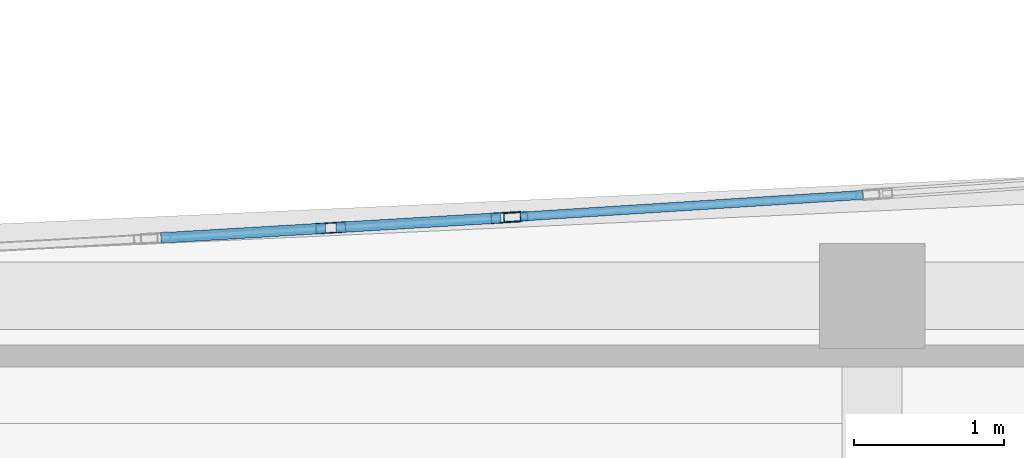
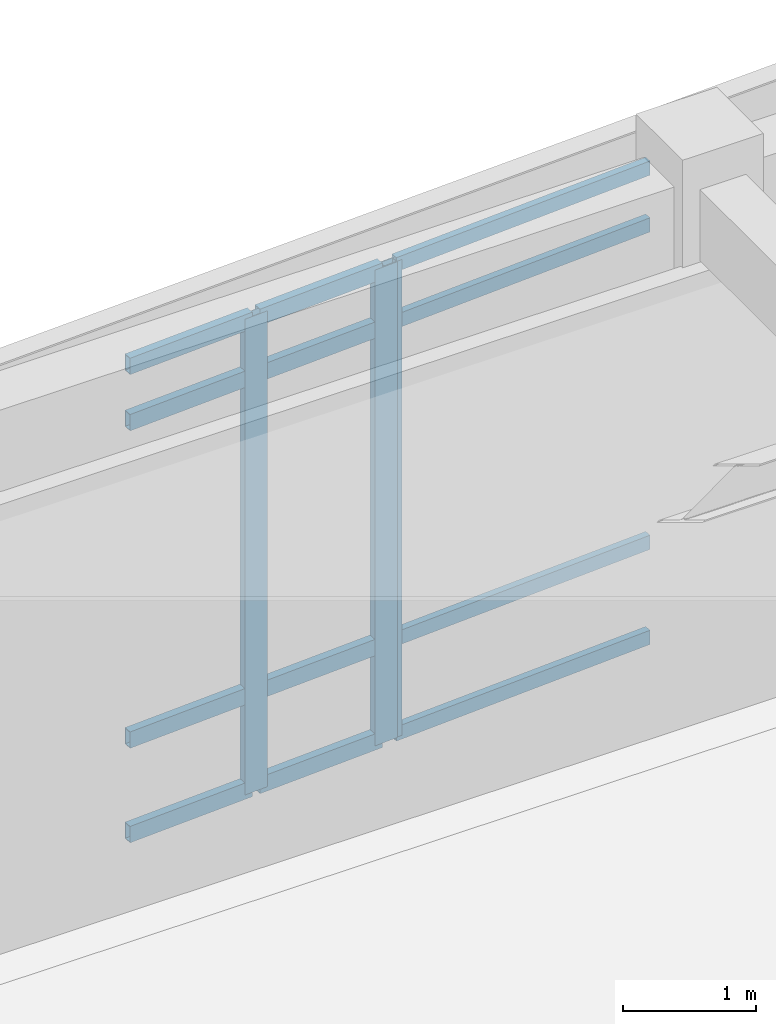
# One storey, part 28 of 117: 15 members, 2 elements without a shape of their own.
"""IFC4 building model written with IfcOpenShell, lengths in metres."""

from ifc_helpers import new_model, si_unit, direction, frame, origin, origin_2d, place, context, subcontext, project, spatial, hollow_rectangle, extrude, material, layer, layer_set, material_profile, profile_set, type_object, element, aggregate, save


model = new_model("IFC4")

# Units and contexts
model_context = context("Model", 3, precision=1e-05, world=origin(), true_north=direction((0.0, 1.0)))
body_context = subcontext(model_context, "Body", "Model", "MODEL_VIEW")
ifc_project = project(units=[si_unit("LENGTHUNIT", "METRE"), si_unit("AREAUNIT", "SQUARE_METRE"), si_unit("VOLUMEUNIT", "CUBIC_METRE"), si_unit("PLANEANGLEUNIT", "RADIAN"), si_unit("MASSUNIT", "GRAM", prefix="KILO")], contexts=[model_context])

# Site, building, storey
site_placement = place(None, origin())
site = spatial("IfcSite", under=ifc_project, at=site_placement, CompositionType="ELEMENT")
building_placement = place(site_placement, origin())
building = spatial("IfcBuilding", under=site, at=building_placement, Name="Carrowvane Square Congress Hotel", CompositionType="ELEMENT")
storey_placement = place(building_placement, frame((0.0, 0.0, 5.39990234375)))
storey = spatial("IfcBuildingStorey", under=building, at=storey_placement, Name="L01", CompositionType="ELEMENT", Elevation=5.39990234375)

# Curtain wall, member
ifc_material_1 = material(Name="Anodised aluminium", Category="aluminium")
ifc_layer_1 = layer(ifc_material_1, 0.18603515625)
ifc_layer_set_1 = layer_set([ifc_layer_1], Name="Anodised aluminium")
curtain_wall_type_1 = type_object("IfcCurtainWallType", Name="CW-SYS-3", PredefinedType="NOTDEFINED", material=ifc_layer_set_1)
curtain_wall_1_placement = place(storey_placement, origin())
curtain_wall_1 = element("IfcCurtainWall", 1, at=curtain_wall_1_placement, inside=storey, type_object=curtain_wall_type_1, Name="L01 unitised curtain wall 66", PredefinedType="NOTDEFINED")
ifc_material_2 = material(Name="Anodised aluminium", Category="aluminium")
ifc_material_profile_1 = material_profile(ifc_material_2, hollow_rectangle(XDim=0.06005859375, YDim=0.159912109375, WallThickness=0.00390625, at=origin_2d()), Name="CW-ML 60x160x4")
ifc_profile_set_1 = profile_set([ifc_material_profile_1], Name="Anodised aluminium")
member_type_1 = type_object("IfcMemberType", Name="CW-MUL-1", PredefinedType="MULLION", material=ifc_profile_set_1)
member_1_placement = place(storey_placement, frame((45.22998046875, 113.925048828125, 0.0), z_axis=(0.0, 0.0, 1.0), x_axis=(-0.063273487972, 0.997996225303, 0.0)))
member_1 = element("IfcMember", 2, at=member_1_placement, type_object=member_type_1, Name="CW-3 mullion 1", PredefinedType="MULLION", context=body_context, shape_type="SweptSolid", body=[
    extrude(hollow_rectangle(XDim=0.06005859375, YDim=0.159912109375, WallThickness=0.00390625, at=origin_2d()), origin(), (0.0, 0.0, 1.0), 4.355712890625),
])

# Curtain wall, members
ifc_material_3 = material(Name="Anodised aluminium", Category="aluminium")
ifc_layer_2 = layer(ifc_material_3, 0.174072265625)
ifc_layer_set_2 = layer_set([ifc_layer_2], Name="Anodised aluminium")
curtain_wall_type_2 = type_object("IfcCurtainWallType", Name="CW-SYS-2", PredefinedType="NOTDEFINED", material=ifc_layer_set_2)
curtain_wall_2_placement = place(storey_placement, origin())
curtain_wall_2 = element("IfcCurtainWall", 3, at=curtain_wall_2_placement, inside=storey, type_object=curtain_wall_type_2, Name="L01 unitised curtain wall 65", PredefinedType="NOTDEFINED")
ifc_material_4 = material(Name="Anodised aluminium", Category="aluminium")
ifc_material_profile_2 = material_profile(ifc_material_4, hollow_rectangle(XDim=0.070068359375, YDim=0.199951171875, WallThickness=0.0048828125, at=origin_2d()), Name="CW-ML 70x200x5")
ifc_profile_set_2 = profile_set([ifc_material_profile_2], Name="Anodised aluminium")
member_type_2 = type_object("IfcMemberType", Name="CW-MUL-2", PredefinedType="MULLION", material=ifc_profile_set_2)
member_2_placement = place(storey_placement, frame((44.0, 113.852294921875, 0.0), z_axis=(0.0, 0.0, 1.0), x_axis=(-0.058988522254, 0.99825866099, 0.0)))
member_2 = element("IfcMember", 4, at=member_2_placement, type_object=member_type_2, Name="CW-2 mullion 2", PredefinedType="MULLION", context=body_context, shape_type="SweptSolid", body=[
    extrude(hollow_rectangle(XDim=0.070068359375, YDim=0.199951171875, WallThickness=0.0048828125, at=origin_2d()), origin(), (0.0, 0.0, 1.0), 4.355712890625),
])
member_3_placement = place(storey_placement, frame((45.1650390625, 113.921142578125, 0.0), z_axis=(0.0, 0.0, 1.0), x_axis=(-0.058988522254, 0.99825866099, 0.0)))
member_3 = element("IfcMember", 5, at=member_3_placement, type_object=member_type_2, Name="CW-2 mullion 3", PredefinedType="MULLION", context=body_context, shape_type="SweptSolid", body=[
    extrude(hollow_rectangle(XDim=0.070068359375, YDim=0.199951171875, WallThickness=0.0048828125, at=origin_2d()), origin(), (0.0, 0.0, 1.0), 4.355712890625),
])

# Member
ifc_material_5 = material(Name="Anodised aluminium", Category="aluminium")
ifc_material_profile_3 = material_profile(ifc_material_5, hollow_rectangle(XDim=0.06005859375, YDim=0.1298828125, WallThickness=0.00390625, at=origin_2d()), Name="CW-TR 60x130x4")
ifc_profile_set_3 = profile_set([ifc_material_profile_3], Name="Anodised aluminium")
member_type_3 = type_object("IfcMemberType", Name="CW-TRN-1", PredefinedType="USERDEFINED", material=ifc_profile_set_3)
member_4_placement = place(storey_placement, frame((45.259765625, 113.927001953125, 0.030029296875), z_axis=(0.997997311039, 0.063256360614, 0.0), x_axis=(-0.063256360614, 0.997997311039, 0.0)))
member_4 = element("IfcMember", 6, at=member_4_placement, type_object=member_type_3, Name="CW-3 transom 1.1", ObjectType="TRANSOM", PredefinedType="USERDEFINED", context=body_context, shape_type="SweptSolid", body=[
    extrude(hollow_rectangle(XDim=0.06005859375, YDim=0.1298828125, WallThickness=0.00390625, at=origin_2d()), origin(), (0.0, 0.0, 1.0), 2.284912109375),
])

member_5_placement = place(storey_placement, frame((45.259765625, 113.927001953125, 0.900146484375), z_axis=(0.997997311039, 0.063256360614, 0.0), x_axis=(-0.063256360614, 0.997997311039, 0.0)))
member_5 = element("IfcMember", 7, at=member_5_placement, type_object=member_type_3, Name="CW-3 transom 1.2", ObjectType="TRANSOM", PredefinedType="USERDEFINED", context=body_context, shape_type="SweptSolid", body=[
    extrude(hollow_rectangle(XDim=0.06005859375, YDim=0.1298828125, WallThickness=0.00390625, at=origin_2d()), origin(), (0.0, 0.0, 1.0), 2.284912109375),
])

member_6_placement = place(storey_placement, frame((45.259765625, 113.927001953125, 3.8056640625), z_axis=(0.997997311039, 0.063256360614, 0.0), x_axis=(-0.063256360614, 0.997997311039, 0.0)))
member_6 = element("IfcMember", 8, at=member_6_placement, type_object=member_type_3, Name="CW-3 transom 1.3", ObjectType="TRANSOM", PredefinedType="USERDEFINED", context=body_context, shape_type="SweptSolid", body=[
    extrude(hollow_rectangle(XDim=0.06005859375, YDim=0.1298828125, WallThickness=0.00390625, at=origin_2d()), origin(), (0.0, 0.0, 1.0), 2.284912109375),
])

member_7_placement = place(storey_placement, frame((45.259765625, 113.927001953125, 4.32568359375), z_axis=(0.997997311039, 0.063256360614, 0.0), x_axis=(-0.063256360614, 0.997997311039, 0.0)))
member_7 = element("IfcMember", 9, at=member_7_placement, type_object=member_type_3, Name="CW-3 transom 1.4", ObjectType="TRANSOM", PredefinedType="USERDEFINED", context=body_context, shape_type="SweptSolid", body=[
    extrude(hollow_rectangle(XDim=0.06005859375, YDim=0.1298828125, WallThickness=0.00390625, at=origin_2d()), origin(), (0.0, 0.0, 1.0), 2.284912109375),
])

aggregate(curtain_wall_1, [member_1, member_4, member_5, member_6, member_7])

ifc_material_6 = material(Name="Anodised aluminium", Category="aluminium")
ifc_material_profile_4 = material_profile(ifc_material_6, hollow_rectangle(XDim=0.070068359375, YDim=0.14990234375, WallThickness=0.0048828125, at=origin_2d()), Name="CW-TR 70x150x5")
ifc_profile_set_4 = profile_set([ifc_material_profile_4], Name="Anodised aluminium")
member_type_4 = type_object("IfcMemberType", Name="CW-TRN-2", PredefinedType="USERDEFINED", material=ifc_profile_set_4)
member_8_placement = place(storey_placement, frame((42.869873046875, 113.785400390625, 0.03515625), z_axis=(0.998259762999, 0.058969870084, 0.0), x_axis=(-0.058969870084, 0.998259762999, 0.0)))
member_8 = element("IfcMember", 10, at=member_8_placement, type_object=member_type_4, Name="CW-2 transom 1.1", ObjectType="TRANSOM", PredefinedType="USERDEFINED", context=body_context, shape_type="SweptSolid", body=[
    extrude(hollow_rectangle(XDim=0.070068359375, YDim=0.14990234375, WallThickness=0.0048828125, at=origin_2d()), origin(), (0.0, 0.0, 1.0), 1.09716796875),
])

member_9_placement = place(storey_placement, frame((42.869873046875, 113.785400390625, 0.900146484375), z_axis=(0.998259762999, 0.058969870084, 0.0), x_axis=(-0.058969870084, 0.998259762999, 0.0)))
member_9 = element("IfcMember", 11, at=member_9_placement, type_object=member_type_4, Name="CW-2 transom 1.2", ObjectType="TRANSOM", PredefinedType="USERDEFINED", context=body_context, shape_type="SweptSolid", body=[
    extrude(hollow_rectangle(XDim=0.070068359375, YDim=0.14990234375, WallThickness=0.0048828125, at=origin_2d()), origin(), (0.0, 0.0, 1.0), 1.09716796875),
])

member_10_placement = place(storey_placement, frame((42.869873046875, 113.785400390625, 3.8056640625), z_axis=(0.998259762999, 0.058969870084, 0.0), x_axis=(-0.058969870084, 0.998259762999, 0.0)))
member_10 = element("IfcMember", 12, at=member_10_placement, type_object=member_type_4, Name="CW-2 transom 1.3", ObjectType="TRANSOM", PredefinedType="USERDEFINED", context=body_context, shape_type="SweptSolid", body=[
    extrude(hollow_rectangle(XDim=0.070068359375, YDim=0.14990234375, WallThickness=0.0048828125, at=origin_2d()), origin(), (0.0, 0.0, 1.0), 1.09716796875),
])

member_11_placement = place(storey_placement, frame((42.869873046875, 113.785400390625, 4.32080078125), z_axis=(0.998259762999, 0.058969870084, 0.0), x_axis=(-0.058969870084, 0.998259762999, 0.0)))
member_11 = element("IfcMember", 13, at=member_11_placement, type_object=member_type_4, Name="CW-2 transom 1.4", ObjectType="TRANSOM", PredefinedType="USERDEFINED", context=body_context, shape_type="SweptSolid", body=[
    extrude(hollow_rectangle(XDim=0.070068359375, YDim=0.14990234375, WallThickness=0.0048828125, at=origin_2d()), origin(), (0.0, 0.0, 1.0), 1.09716796875),
])

member_12_placement = place(storey_placement, frame((44.034912109375, 113.854248046875, 0.03515625), z_axis=(0.998259762999, 0.058969870084, 0.0), x_axis=(-0.058969870084, 0.998259762999, 0.0)))
member_12 = element("IfcMember", 14, at=member_12_placement, type_object=member_type_4, Name="CW-2 transom 2.1", ObjectType="TRANSOM", PredefinedType="USERDEFINED", context=body_context, shape_type="SweptSolid", body=[
    extrude(hollow_rectangle(XDim=0.070068359375, YDim=0.14990234375, WallThickness=0.0048828125, at=origin_2d()), origin(), (0.0, 0.0, 1.0), 1.09716796875),
])

member_13_placement = place(storey_placement, frame((44.034912109375, 113.854248046875, 0.900146484375), z_axis=(0.998259762999, 0.058969870084, 0.0), x_axis=(-0.058969870084, 0.998259762999, 0.0)))
member_13 = element("IfcMember", 15, at=member_13_placement, type_object=member_type_4, Name="CW-2 transom 2.2", ObjectType="TRANSOM", PredefinedType="USERDEFINED", context=body_context, shape_type="SweptSolid", body=[
    extrude(hollow_rectangle(XDim=0.070068359375, YDim=0.14990234375, WallThickness=0.0048828125, at=origin_2d()), origin(), (0.0, 0.0, 1.0), 1.09716796875),
])

member_14_placement = place(storey_placement, frame((44.034912109375, 113.854248046875, 3.8056640625), z_axis=(0.998259762999, 0.058969870084, 0.0), x_axis=(-0.058969870084, 0.998259762999, 0.0)))
member_14 = element("IfcMember", 16, at=member_14_placement, type_object=member_type_4, Name="CW-2 transom 2.3", ObjectType="TRANSOM", PredefinedType="USERDEFINED", context=body_context, shape_type="SweptSolid", body=[
    extrude(hollow_rectangle(XDim=0.070068359375, YDim=0.14990234375, WallThickness=0.0048828125, at=origin_2d()), origin(), (0.0, 0.0, 1.0), 1.09716796875),
])

member_15_placement = place(storey_placement, frame((44.034912109375, 113.854248046875, 4.32080078125), z_axis=(0.998259762999, 0.058969870084, 0.0), x_axis=(-0.058969870084, 0.998259762999, 0.0)))
member_15 = element("IfcMember", 17, at=member_15_placement, type_object=member_type_4, Name="CW-2 transom 2.4", ObjectType="TRANSOM", PredefinedType="USERDEFINED", context=body_context, shape_type="SweptSolid", body=[
    extrude(hollow_rectangle(XDim=0.070068359375, YDim=0.14990234375, WallThickness=0.0048828125, at=origin_2d()), origin(), (0.0, 0.0, 1.0), 1.09716796875),
])

aggregate(curtain_wall_2, [member_2, member_3, member_8, member_9, member_10, member_11, member_12, member_13, member_14, member_15])

save(model, "model.ifc")
